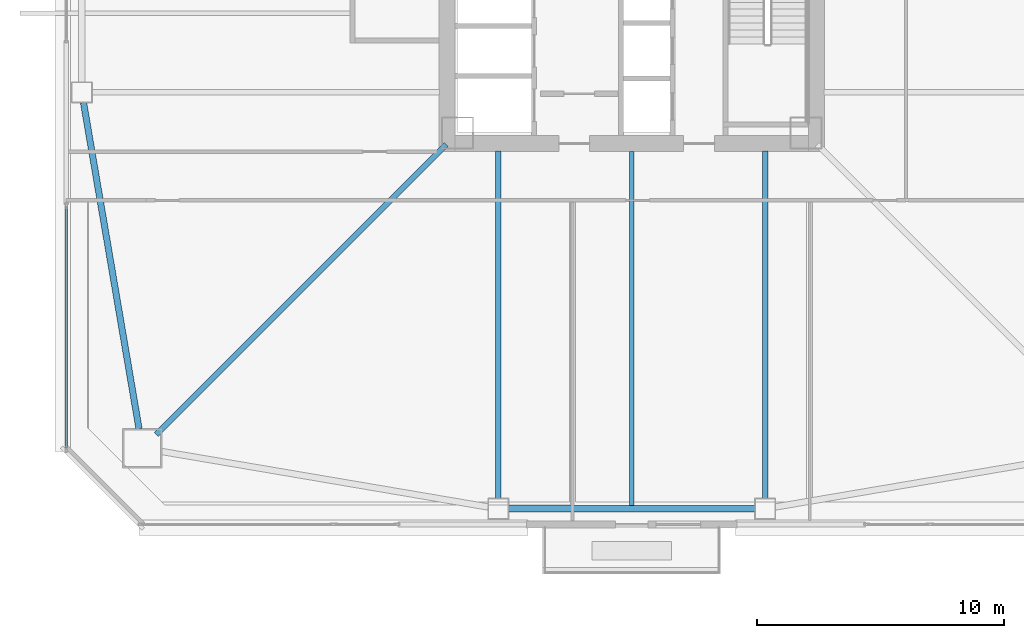
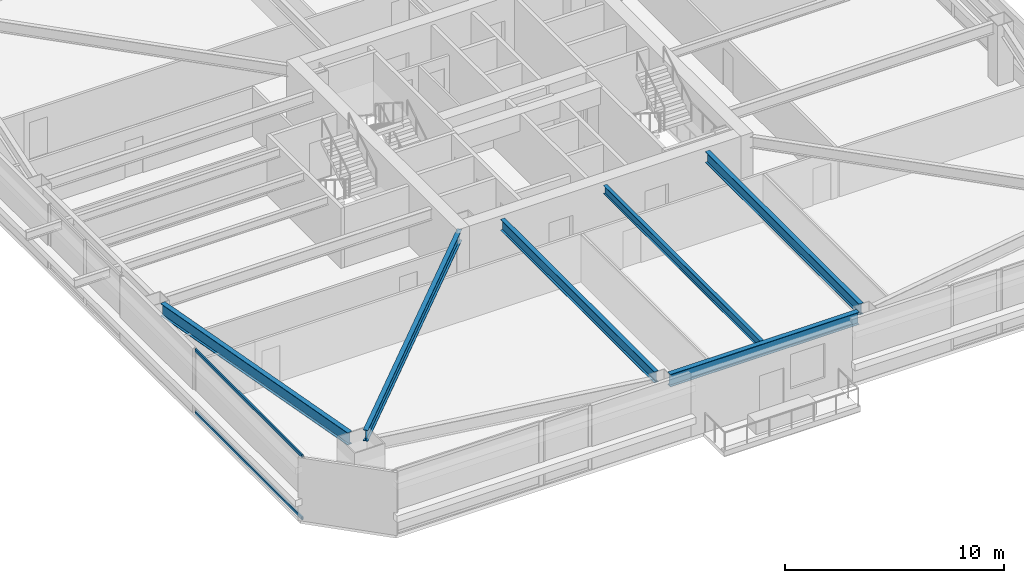
# One storey, part 4 of 46: 6 beams, 2 members, 1 element without a shape of its own.
"""IFC4 building model written with IfcOpenShell, lengths in metres."""

from ifc_helpers import new_model, si_unit, direction, frame, origin, origin_2d, place, context, subcontext, project, spatial, hollow_rectangle, i_section, extrude, material, material_profile, profile_set, type_object, element, aggregate, save


model = new_model("IFC4")

# Units and contexts
model_context = context("Model", 3, precision=1e-05, world=origin(), true_north=direction((0.0, 1.0)))
body_context = subcontext(model_context, "Body", "Model", "MODEL_VIEW")
ifc_project = project(units=[si_unit("LENGTHUNIT", "METRE"), si_unit("AREAUNIT", "SQUARE_METRE"), si_unit("VOLUMEUNIT", "CUBIC_METRE"), si_unit("PLANEANGLEUNIT", "RADIAN"), si_unit("MASSUNIT", "GRAM", prefix="KILO")], contexts=[model_context])

# Site, building, storey
site_placement = place(None, origin())
site = spatial("IfcSite", under=ifc_project, at=site_placement, CompositionType="ELEMENT")
building_placement = place(site_placement, origin())
building = spatial("IfcBuilding", under=site, at=building_placement, Name="Tashvorn Skyway Center", CompositionType="ELEMENT")
storey_placement = place(building_placement, frame((0.0, 0.0, 38.800048828125)))
storey = spatial("IfcBuildingStorey", under=building, at=storey_placement, Name="L09", CompositionType="ELEMENT", Elevation=38.800048828125)

# Beams
ifc_material_1 = material(Name="Steel ASTM A992 Grade 50", Category="steel")
ifc_material_profile_1 = material_profile(ifc_material_1, i_section(OverallWidth=0.22998046875, OverallDepth=0.616943359375, WebThickness=0.01318359375, FlangeThickness=0.022216796875, at=origin_2d()), Name="W24X94")
ifc_profile_set_1 = profile_set([ifc_material_profile_1], Name="Steel ASTM A992 Grade 50")
beam_type_1 = type_object("IfcBeamType", Name="BM-BEAM-W24X94", PredefinedType="BEAM", material=ifc_profile_set_1)
beam_1_placement = place(storey_placement, frame((22.76220703125, 12.76220703125, 3.04150390625), z_axis=(0.707106781187, 0.707106781187, 0.0), x_axis=(-0.707106781187, 0.707106781187, 0.0)))
element("IfcBeam", 1, at=beam_1_placement, inside=storey, type_object=beam_type_1, Name="Tower 1 L09 Primary Floor Girder MC-SW", PredefinedType="BEAM", context=body_context, shape_type="SweptSolid", body=[
    extrude(i_section(OverallWidth=0.22998046875, OverallDepth=0.616943359375, WebThickness=0.01318359375, FlangeThickness=0.022216796875, at=origin_2d()), origin(), (0.0, 0.0, 1.0), 16.591064453125),
])
for number, where, z_axis, x_axis, name in (
    (2, (36.60009765625, 10.169921875, 3.04150390625), (0.0, 1.0, 0.0), (-1.0, 0.0, 0.0), "Tower 1 L09 Primary Floor Girder FC-S1"),
    (3, (47.39990234375, 10.169921875, 3.04150390625), (0.0, 1.0, 0.0), (-1.0, 0.0, 0.0), "Tower 1 L09 Primary Floor Girder FC-S2"),
):
    element("IfcBeam", number, at=place(storey_placement, frame(where, z_axis=z_axis, x_axis=x_axis)), inside=storey, type_object=beam_type_1, Name=name, PredefinedType="BEAM", context=body_context, shape_type="SweptSolid", body=[
        extrude(i_section(OverallWidth=0.22998046875, OverallDepth=0.616943359375, WebThickness=0.01318359375, FlangeThickness=0.022216796875, at=origin_2d()), origin(), (0.0, 0.0, 1.0), 14.050048828125),
    ])
ifc_material_profile_2 = material_profile(ifc_material_1, i_section(OverallWidth=0.19091796875, OverallDepth=0.4599609375, WebThickness=0.010009765625, FlangeThickness=0.01611328125, at=origin_2d()), Name="W18X55")
ifc_profile_set_2 = profile_set([ifc_material_profile_2], Name="Steel ASTM A992 Grade 50")
beam_type_2 = type_object("IfcBeamType", Name="BM-JOIST-W18X55", PredefinedType="JOIST", material=ifc_profile_set_2)
beam_2_placement = place(storey_placement, frame((42.0, 24.2099609375, 3.119873046875), z_axis=(0.0, -1.0, 0.0), x_axis=(1.0, 0.0, 0.0)))
element("IfcBeam", 4, at=beam_2_placement, inside=storey, type_object=beam_type_2, Name="Tower 1 L09 Secondary Composite Joist JS", PredefinedType="JOIST", context=body_context, shape_type="SweptSolid", body=[
    extrude(i_section(OverallWidth=0.19091796875, OverallDepth=0.4599609375, WebThickness=0.010009765625, FlangeThickness=0.01611328125, at=origin_2d()), origin(), (0.0, 0.0, 1.0), 14.33984375),
])
ifc_material_profile_3 = material_profile(ifc_material_1, i_section(OverallWidth=0.256103515625, OverallDepth=0.693115234375, WebThickness=0.014404296875, FlangeThickness=0.023681640625, at=origin_2d()), Name="W27X114")
ifc_profile_set_3 = profile_set([ifc_material_profile_3], Name="Steel ASTM A992 Grade 50")
beam_type_3 = type_object("IfcBeamType", Name="BM-SPANDREL-W27X114", PredefinedType="SPANDREL", material=ifc_profile_set_3)
beam_3_placement = place(storey_placement, frame((37.02001953125, 9.75, 3.00341796875), z_axis=(1.0, 0.0, 0.0), x_axis=(0.0, 1.0, 0.0)))
element("IfcBeam", 5, at=beam_3_placement, inside=storey, type_object=beam_type_3, Name="Tower 1 L09 Spandrel Beam 02", PredefinedType="SPANDREL", context=body_context, shape_type="SweptSolid", body=[
    extrude(i_section(OverallWidth=0.256103515625, OverallDepth=0.693115234375, WebThickness=0.014404296875, FlangeThickness=0.023681640625, at=origin_2d()), origin(), (0.0, 0.0, 1.0), 9.9599609375),
])
beam_4_placement = place(storey_placement, frame((19.820556640625, 26.18603515625, 3.00341796875), z_axis=(0.16771792509, -0.985835025551, 0.0), x_axis=(0.985835025551, 0.16771792509, 0.0)))
element("IfcBeam", 6, at=beam_4_placement, inside=storey, type_object=beam_type_3, Name="Tower 1 L09 Spandrel Beam 12", PredefinedType="SPANDREL", context=body_context, shape_type="SweptSolid", body=[
    extrude(i_section(OverallWidth=0.256103515625, OverallDepth=0.693115234375, WebThickness=0.014404296875, FlangeThickness=0.023681640625, at=origin_2d()), origin(), (0.0, 0.0, 1.0), 13.39208984375),
])

# Curtain wall, members
ifc_material_2 = material(Name="Thermally broken bronze-anodized aluminium 6063-T6", Category="aluminium")
curtain_wall_type = type_object("IfcCurtainWallType", Name="CW-CW-Z1", PredefinedType="NOTDEFINED", material=ifc_material_2)
curtain_wall_placement = place(storey_placement, origin())
curtain_wall = element("IfcCurtainWall", 7, at=curtain_wall_placement, inside=storey, type_object=curtain_wall_type, Name="Tower 1 L09 West Unitised Curtain Wall Glazing Group 1", PredefinedType="NOTDEFINED")
ifc_material_profile_4 = material_profile(ifc_material_2, hollow_rectangle(XDim=0.0849609375, YDim=0.1650390625, WallThickness=0.0048828125, at=origin_2d()), Name="ALU-TRAN-85x165")
ifc_profile_set_4 = profile_set([ifc_material_profile_4], Name="Thermally broken bronze-anodized aluminium 6063-T6")
member_type = type_object("IfcMemberType", Name="CWT-CW-Z1", PredefinedType="USERDEFINED", material=ifc_profile_set_4)
member_1_placement = place(storey_placement, frame((19.1201171875, 12.205078125, 0.04248046875), z_axis=(0.0, 1.0, 0.0), x_axis=(-1.0, 0.0, 0.0)))
member_1 = element("IfcMember", 8, at=member_1_placement, type_object=member_type, Name="CW-Z1 transom 1.1", ObjectType="TRANSOM", PredefinedType="USERDEFINED", context=body_context, shape_type="SweptSolid", body=[
    extrude(hollow_rectangle(XDim=0.0849609375, YDim=0.1650390625, WallThickness=0.0048828125, at=origin_2d()), origin(), (0.0, 0.0, 1.0), 9.77001953125),
])
member_2_placement = place(storey_placement, frame((19.1201171875, 12.205078125, 3.507568359375), z_axis=(0.0, 1.0, 0.0), x_axis=(-1.0, 0.0, 0.0)))
member_2 = element("IfcMember", 9, at=member_2_placement, type_object=member_type, Name="CW-Z1 transom 1.2", ObjectType="TRANSOM", PredefinedType="USERDEFINED", context=body_context, shape_type="SweptSolid", body=[
    extrude(hollow_rectangle(XDim=0.0849609375, YDim=0.1650390625, WallThickness=0.0048828125, at=origin_2d()), origin(), (0.0, 0.0, 1.0), 9.77001953125),
])
aggregate(curtain_wall, [member_1, member_2])

save(model, "model.ifc")
